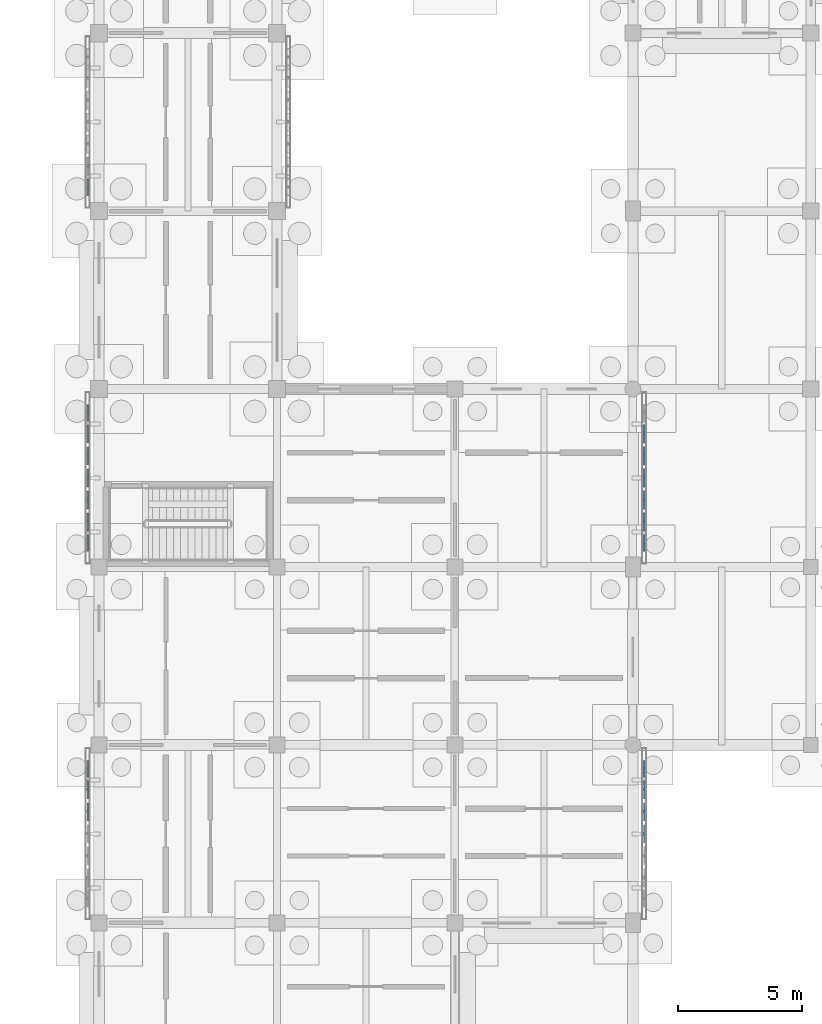
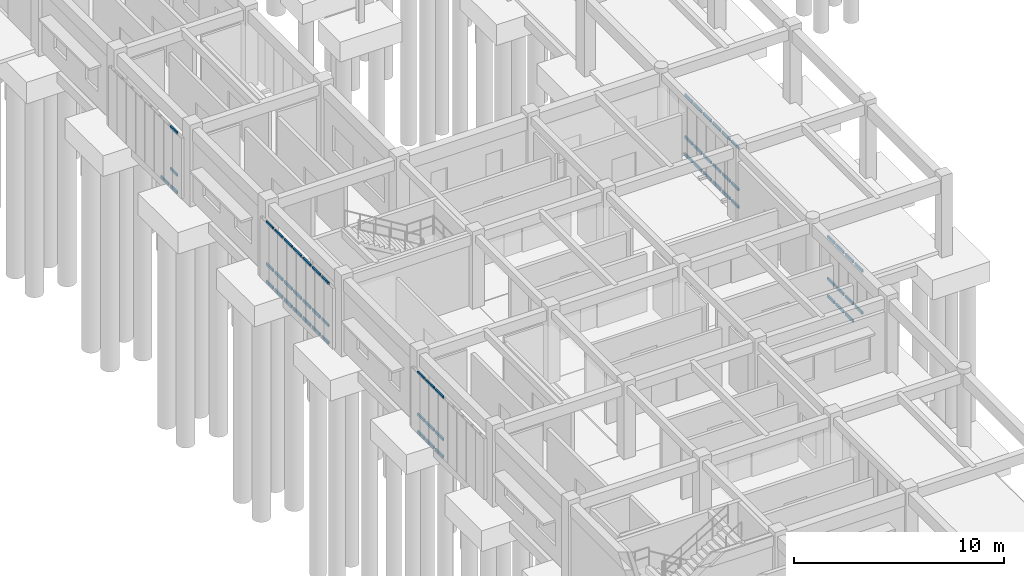
# One storey, part 41 of 111: 63 members, 5 elements without a shape of their own.
"""IFC4 building model written with IfcOpenShell, lengths in metres."""

from ifc_helpers import new_model, si_unit, direction, frame, origin, origin_2d, place, context, subcontext, project, spatial, hollow_rectangle, extrude, material, material_profile, profile_set, type_object, element, aggregate, save


model = new_model("IFC4")

# Units and contexts
model_context = context("Model", 3, precision=1e-05, world=origin(), true_north=direction((0.0, 1.0)))
body_context = subcontext(model_context, "Body", "Model", "MODEL_VIEW")
ifc_project = project(units=[si_unit("LENGTHUNIT", "METRE"), si_unit("AREAUNIT", "SQUARE_METRE"), si_unit("VOLUMEUNIT", "CUBIC_METRE"), si_unit("PLANEANGLEUNIT", "RADIAN"), si_unit("MASSUNIT", "GRAM", prefix="KILO")], contexts=[model_context])

# Site, building, storey
site_placement = place(None, origin())
site = spatial("IfcSite", under=ifc_project, at=site_placement, CompositionType="ELEMENT")
building_placement = place(site_placement, origin())
building = spatial("IfcBuilding", under=site, at=building_placement, Name="Aldebral Square Health Centre", CompositionType="ELEMENT")
storey_placement = place(building_placement, origin())
storey = spatial("IfcBuildingStorey", under=building, at=storey_placement, Name="L00", CompositionType="ELEMENT", Elevation=0.0)

# Curtain wall, members
ifc_material_1 = material(Name="Aluminium and low-E solar glass", Category="aluminium")
curtain_wall_type = type_object("IfcCurtainWallType", Name="CW-FIN-SYS", PredefinedType="USERDEFINED", material=ifc_material_1)
curtain_wall_1_placement = place(storey_placement, origin())
curtain_wall_1 = element("IfcCurtainWall", 1, at=curtain_wall_1_placement, inside=storey, type_object=curtain_wall_type, Name="L00 V6 finned curtain wall L00-V6-00-06-W", ObjectType="SOLAR_CURTAIN_WALL", PredefinedType="USERDEFINED")
ifc_material_2 = material(Name="Anodised aluminium transom", Category="aluminium")
ifc_material_profile = material_profile(ifc_material_2, hollow_rectangle(XDim=0.074951171875, YDim=0.14990234375, WallThickness=0.00390625, at=origin_2d()), Name="CWT 75x150x4")
ifc_profile_set = profile_set([ifc_material_profile], Name="Anodised aluminium transom")
member_type = type_object("IfcMemberType", Name="CWT-STD", PredefinedType="USERDEFINED", material=ifc_profile_set)
member_1_placement = place(storey_placement, frame((-0.4599609375, 49.760009765625, 0.03759765625), z_axis=(0.0, -1.0, 0.0), x_axis=(1.0, 0.0, 0.0)))
member_1 = element("IfcMember", 2, at=member_1_placement, type_object=member_type, Name="CW1 transom 1.1", ObjectType="TRANSOM", PredefinedType="USERDEFINED", context=body_context, shape_type="SweptSolid", body=[
    extrude(hollow_rectangle(XDim=0.074951171875, YDim=0.14990234375, WallThickness=0.00390625, at=origin_2d()), origin(), (0.0, 0.0, 1.0), 0.6513671875),
])
member_2_placement = place(storey_placement, frame((-0.4599609375, 49.760009765625, 1.050048828125), z_axis=(0.0, -1.0, 0.0), x_axis=(1.0, 0.0, 0.0)))
member_2 = element("IfcMember", 3, at=member_2_placement, type_object=member_type, Name="CW1 transom 1.2", ObjectType="TRANSOM", PredefinedType="USERDEFINED", context=body_context, shape_type="SweptSolid", body=[
    extrude(hollow_rectangle(XDim=0.074951171875, YDim=0.14990234375, WallThickness=0.00390625, at=origin_2d()), origin(), (0.0, 0.0, 1.0), 0.6513671875),
])
member_3_placement = place(storey_placement, frame((-0.4599609375, 49.760009765625, 3.482421875), z_axis=(0.0, -1.0, 0.0), x_axis=(1.0, 0.0, 0.0)))
member_3 = element("IfcMember", 4, at=member_3_placement, type_object=member_type, Name="CW1 transom 1.3", ObjectType="TRANSOM", PredefinedType="USERDEFINED", context=body_context, shape_type="SweptSolid", body=[
    extrude(hollow_rectangle(XDim=0.074951171875, YDim=0.14990234375, WallThickness=0.00390625, at=origin_2d()), origin(), (0.0, 0.0, 1.0), 0.6513671875),
])
member_4_placement = place(storey_placement, frame((-0.4599609375, 48.948486328125, 0.03759765625), z_axis=(0.0, -1.0, 0.0), x_axis=(1.0, 0.0, 0.0)))
member_4 = element("IfcMember", 5, at=member_4_placement, type_object=member_type, Name="CW1 transom 2.1", ObjectType="TRANSOM", PredefinedType="USERDEFINED", context=body_context, shape_type="SweptSolid", body=[
    extrude(hollow_rectangle(XDim=0.074951171875, YDim=0.14990234375, WallThickness=0.00390625, at=origin_2d()), origin(), (0.0, 0.0, 1.0), 0.7314453125),
])
member_5_placement = place(storey_placement, frame((-0.4599609375, 48.948486328125, 1.050048828125), z_axis=(0.0, -1.0, 0.0), x_axis=(1.0, 0.0, 0.0)))
member_5 = element("IfcMember", 6, at=member_5_placement, type_object=member_type, Name="CW1 transom 2.2", ObjectType="TRANSOM", PredefinedType="USERDEFINED", context=body_context, shape_type="SweptSolid", body=[
    extrude(hollow_rectangle(XDim=0.074951171875, YDim=0.14990234375, WallThickness=0.00390625, at=origin_2d()), origin(), (0.0, 0.0, 1.0), 0.7314453125),
])
member_6_placement = place(storey_placement, frame((-0.4599609375, 48.948486328125, 3.482421875), z_axis=(0.0, -1.0, 0.0), x_axis=(1.0, 0.0, 0.0)))
member_6 = element("IfcMember", 7, at=member_6_placement, type_object=member_type, Name="CW1 transom 2.3", ObjectType="TRANSOM", PredefinedType="USERDEFINED", context=body_context, shape_type="SweptSolid", body=[
    extrude(hollow_rectangle(XDim=0.074951171875, YDim=0.14990234375, WallThickness=0.00390625, at=origin_2d()), origin(), (0.0, 0.0, 1.0), 0.7314453125),
])
member_7_placement = place(storey_placement, frame((-0.4599609375, 48.05712890625, 0.03759765625), z_axis=(0.0, -1.0, 0.0), x_axis=(1.0, 0.0, 0.0)))
member_7 = element("IfcMember", 8, at=member_7_placement, type_object=member_type, Name="CW1 transom 3.1", ObjectType="TRANSOM", PredefinedType="USERDEFINED", context=body_context, shape_type="SweptSolid", body=[
    extrude(hollow_rectangle(XDim=0.074951171875, YDim=0.14990234375, WallThickness=0.00390625, at=origin_2d()), origin(), (0.0, 0.0, 1.0), 0.7314453125),
])
member_8_placement = place(storey_placement, frame((-0.4599609375, 48.05712890625, 1.050048828125), z_axis=(0.0, -1.0, 0.0), x_axis=(1.0, 0.0, 0.0)))
member_8 = element("IfcMember", 9, at=member_8_placement, type_object=member_type, Name="CW1 transom 3.2", ObjectType="TRANSOM", PredefinedType="USERDEFINED", context=body_context, shape_type="SweptSolid", body=[
    extrude(hollow_rectangle(XDim=0.074951171875, YDim=0.14990234375, WallThickness=0.00390625, at=origin_2d()), origin(), (0.0, 0.0, 1.0), 0.7314453125),
])
member_9_placement = place(storey_placement, frame((-0.4599609375, 48.05712890625, 3.482421875), z_axis=(0.0, -1.0, 0.0), x_axis=(1.0, 0.0, 0.0)))
member_9 = element("IfcMember", 10, at=member_9_placement, type_object=member_type, Name="CW1 transom 3.3", ObjectType="TRANSOM", PredefinedType="USERDEFINED", context=body_context, shape_type="SweptSolid", body=[
    extrude(hollow_rectangle(XDim=0.074951171875, YDim=0.14990234375, WallThickness=0.00390625, at=origin_2d()), origin(), (0.0, 0.0, 1.0), 0.7314453125),
])
aggregate(curtain_wall_1, [member_1, member_2, member_3, member_4, member_5, member_6, member_7, member_8, member_9])

curtain_wall_2_placement = place(storey_placement, origin())
curtain_wall_2 = element("IfcCurtainWall", 11, at=curtain_wall_2_placement, inside=storey, type_object=curtain_wall_type, Name="L00 V4 finned curtain wall L00-V4-00-08-W", ObjectType="SOLAR_CURTAIN_WALL", PredefinedType="USERDEFINED")
member_10_placement = place(storey_placement, frame((-0.4599609375, 64.159912109375, 0.03759765625), z_axis=(0.0, -1.0, 0.0), x_axis=(1.0, 0.0, 0.0)))
member_10 = element("IfcMember", 12, at=member_10_placement, type_object=member_type, Name="CW1 transom 1.1", ObjectType="TRANSOM", PredefinedType="USERDEFINED", context=body_context, shape_type="SweptSolid", body=[
    extrude(hollow_rectangle(XDim=0.074951171875, YDim=0.14990234375, WallThickness=0.00390625, at=origin_2d()), origin(), (0.0, 0.0, 1.0), 0.6513671875),
])
member_11_placement = place(storey_placement, frame((-0.4599609375, 64.159912109375, 1.050048828125), z_axis=(0.0, -1.0, 0.0), x_axis=(1.0, 0.0, 0.0)))
member_11 = element("IfcMember", 13, at=member_11_placement, type_object=member_type, Name="CW1 transom 1.2", ObjectType="TRANSOM", PredefinedType="USERDEFINED", context=body_context, shape_type="SweptSolid", body=[
    extrude(hollow_rectangle(XDim=0.074951171875, YDim=0.14990234375, WallThickness=0.00390625, at=origin_2d()), origin(), (0.0, 0.0, 1.0), 0.6513671875),
])
member_12_placement = place(storey_placement, frame((-0.4599609375, 64.159912109375, 3.482421875), z_axis=(0.0, -1.0, 0.0), x_axis=(1.0, 0.0, 0.0)))
member_12 = element("IfcMember", 14, at=member_12_placement, type_object=member_type, Name="CW1 transom 1.3", ObjectType="TRANSOM", PredefinedType="USERDEFINED", context=body_context, shape_type="SweptSolid", body=[
    extrude(hollow_rectangle(XDim=0.074951171875, YDim=0.14990234375, WallThickness=0.00390625, at=origin_2d()), origin(), (0.0, 0.0, 1.0), 0.6513671875),
])
member_13_placement = place(storey_placement, frame((-0.4599609375, 63.3486328125, 0.03759765625), z_axis=(0.0, -1.0, 0.0), x_axis=(1.0, 0.0, 0.0)))
member_13 = element("IfcMember", 15, at=member_13_placement, type_object=member_type, Name="CW1 transom 2.1", ObjectType="TRANSOM", PredefinedType="USERDEFINED", context=body_context, shape_type="SweptSolid", body=[
    extrude(hollow_rectangle(XDim=0.074951171875, YDim=0.14990234375, WallThickness=0.00390625, at=origin_2d()), origin(), (0.0, 0.0, 1.0), 0.7314453125),
])
member_14_placement = place(storey_placement, frame((-0.4599609375, 63.3486328125, 1.050048828125), z_axis=(0.0, -1.0, 0.0), x_axis=(1.0, 0.0, 0.0)))
member_14 = element("IfcMember", 16, at=member_14_placement, type_object=member_type, Name="CW1 transom 2.2", ObjectType="TRANSOM", PredefinedType="USERDEFINED", context=body_context, shape_type="SweptSolid", body=[
    extrude(hollow_rectangle(XDim=0.074951171875, YDim=0.14990234375, WallThickness=0.00390625, at=origin_2d()), origin(), (0.0, 0.0, 1.0), 0.7314453125),
])
member_15_placement = place(storey_placement, frame((-0.4599609375, 63.3486328125, 3.482421875), z_axis=(0.0, -1.0, 0.0), x_axis=(1.0, 0.0, 0.0)))
member_15 = element("IfcMember", 17, at=member_15_placement, type_object=member_type, Name="CW1 transom 2.3", ObjectType="TRANSOM", PredefinedType="USERDEFINED", context=body_context, shape_type="SweptSolid", body=[
    extrude(hollow_rectangle(XDim=0.074951171875, YDim=0.14990234375, WallThickness=0.00390625, at=origin_2d()), origin(), (0.0, 0.0, 1.0), 0.7314453125),
])
member_16_placement = place(storey_placement, frame((-0.4599609375, 62.45703125, 0.03759765625), z_axis=(0.0, -1.0, 0.0), x_axis=(1.0, 0.0, 0.0)))
member_16 = element("IfcMember", 18, at=member_16_placement, type_object=member_type, Name="CW1 transom 3.1", ObjectType="TRANSOM", PredefinedType="USERDEFINED", context=body_context, shape_type="SweptSolid", body=[
    extrude(hollow_rectangle(XDim=0.074951171875, YDim=0.14990234375, WallThickness=0.00390625, at=origin_2d()), origin(), (0.0, 0.0, 1.0), 0.731201171875),
])
member_17_placement = place(storey_placement, frame((-0.4599609375, 62.45703125, 1.050048828125), z_axis=(0.0, -1.0, 0.0), x_axis=(1.0, 0.0, 0.0)))
member_17 = element("IfcMember", 19, at=member_17_placement, type_object=member_type, Name="CW1 transom 3.2", ObjectType="TRANSOM", PredefinedType="USERDEFINED", context=body_context, shape_type="SweptSolid", body=[
    extrude(hollow_rectangle(XDim=0.074951171875, YDim=0.14990234375, WallThickness=0.00390625, at=origin_2d()), origin(), (0.0, 0.0, 1.0), 0.731201171875),
])
member_18_placement = place(storey_placement, frame((-0.4599609375, 62.45703125, 3.482421875), z_axis=(0.0, -1.0, 0.0), x_axis=(1.0, 0.0, 0.0)))
member_18 = element("IfcMember", 20, at=member_18_placement, type_object=member_type, Name="CW1 transom 3.3", ObjectType="TRANSOM", PredefinedType="USERDEFINED", context=body_context, shape_type="SweptSolid", body=[
    extrude(hollow_rectangle(XDim=0.074951171875, YDim=0.14990234375, WallThickness=0.00390625, at=origin_2d()), origin(), (0.0, 0.0, 1.0), 0.731201171875),
])
member_19_placement = place(storey_placement, frame((-0.4599609375, 61.565673828125, 0.03759765625), z_axis=(0.0, -1.0, 0.0), x_axis=(1.0, 0.0, 0.0)))
member_19 = element("IfcMember", 21, at=member_19_placement, type_object=member_type, Name="CW1 transom 4.1", ObjectType="TRANSOM", PredefinedType="USERDEFINED", context=body_context, shape_type="SweptSolid", body=[
    extrude(hollow_rectangle(XDim=0.074951171875, YDim=0.14990234375, WallThickness=0.00390625, at=origin_2d()), origin(), (0.0, 0.0, 1.0), 0.7314453125),
])
member_20_placement = place(storey_placement, frame((-0.4599609375, 61.565673828125, 1.050048828125), z_axis=(0.0, -1.0, 0.0), x_axis=(1.0, 0.0, 0.0)))
member_20 = element("IfcMember", 22, at=member_20_placement, type_object=member_type, Name="CW1 transom 4.2", ObjectType="TRANSOM", PredefinedType="USERDEFINED", context=body_context, shape_type="SweptSolid", body=[
    extrude(hollow_rectangle(XDim=0.074951171875, YDim=0.14990234375, WallThickness=0.00390625, at=origin_2d()), origin(), (0.0, 0.0, 1.0), 0.7314453125),
])
member_21_placement = place(storey_placement, frame((-0.4599609375, 61.565673828125, 3.482421875), z_axis=(0.0, -1.0, 0.0), x_axis=(1.0, 0.0, 0.0)))
member_21 = element("IfcMember", 23, at=member_21_placement, type_object=member_type, Name="CW1 transom 4.3", ObjectType="TRANSOM", PredefinedType="USERDEFINED", context=body_context, shape_type="SweptSolid", body=[
    extrude(hollow_rectangle(XDim=0.074951171875, YDim=0.14990234375, WallThickness=0.00390625, at=origin_2d()), origin(), (0.0, 0.0, 1.0), 0.7314453125),
])
member_22_placement = place(storey_placement, frame((-0.4599609375, 60.67431640625, 0.03759765625), z_axis=(0.0, -1.0, 0.0), x_axis=(1.0, 0.0, 0.0)))
member_22 = element("IfcMember", 24, at=member_22_placement, type_object=member_type, Name="CW1 transom 5.1", ObjectType="TRANSOM", PredefinedType="USERDEFINED", context=body_context, shape_type="SweptSolid", body=[
    extrude(hollow_rectangle(XDim=0.074951171875, YDim=0.14990234375, WallThickness=0.00390625, at=origin_2d()), origin(), (0.0, 0.0, 1.0), 0.7314453125),
])
member_23_placement = place(storey_placement, frame((-0.4599609375, 60.67431640625, 1.050048828125), z_axis=(0.0, -1.0, 0.0), x_axis=(1.0, 0.0, 0.0)))
member_23 = element("IfcMember", 25, at=member_23_placement, type_object=member_type, Name="CW1 transom 5.2", ObjectType="TRANSOM", PredefinedType="USERDEFINED", context=body_context, shape_type="SweptSolid", body=[
    extrude(hollow_rectangle(XDim=0.074951171875, YDim=0.14990234375, WallThickness=0.00390625, at=origin_2d()), origin(), (0.0, 0.0, 1.0), 0.7314453125),
])
member_24_placement = place(storey_placement, frame((-0.4599609375, 60.67431640625, 3.482421875), z_axis=(0.0, -1.0, 0.0), x_axis=(1.0, 0.0, 0.0)))
member_24 = element("IfcMember", 26, at=member_24_placement, type_object=member_type, Name="CW1 transom 5.3", ObjectType="TRANSOM", PredefinedType="USERDEFINED", context=body_context, shape_type="SweptSolid", body=[
    extrude(hollow_rectangle(XDim=0.074951171875, YDim=0.14990234375, WallThickness=0.00390625, at=origin_2d()), origin(), (0.0, 0.0, 1.0), 0.7314453125),
])
member_25_placement = place(storey_placement, frame((-0.4599609375, 59.782958984375, 0.03759765625), z_axis=(0.0, -1.0, 0.0), x_axis=(1.0, 0.0, 0.0)))
member_25 = element("IfcMember", 27, at=member_25_placement, type_object=member_type, Name="CW1 transom 6.1", ObjectType="TRANSOM", PredefinedType="USERDEFINED", context=body_context, shape_type="SweptSolid", body=[
    extrude(hollow_rectangle(XDim=0.074951171875, YDim=0.14990234375, WallThickness=0.00390625, at=origin_2d()), origin(), (0.0, 0.0, 1.0), 0.7314453125),
])
member_26_placement = place(storey_placement, frame((-0.4599609375, 59.782958984375, 1.050048828125), z_axis=(0.0, -1.0, 0.0), x_axis=(1.0, 0.0, 0.0)))
member_26 = element("IfcMember", 28, at=member_26_placement, type_object=member_type, Name="CW1 transom 6.2", ObjectType="TRANSOM", PredefinedType="USERDEFINED", context=body_context, shape_type="SweptSolid", body=[
    extrude(hollow_rectangle(XDim=0.074951171875, YDim=0.14990234375, WallThickness=0.00390625, at=origin_2d()), origin(), (0.0, 0.0, 1.0), 0.7314453125),
])
member_27_placement = place(storey_placement, frame((-0.4599609375, 59.782958984375, 3.482421875), z_axis=(0.0, -1.0, 0.0), x_axis=(1.0, 0.0, 0.0)))
member_27 = element("IfcMember", 29, at=member_27_placement, type_object=member_type, Name="CW1 transom 6.3", ObjectType="TRANSOM", PredefinedType="USERDEFINED", context=body_context, shape_type="SweptSolid", body=[
    extrude(hollow_rectangle(XDim=0.074951171875, YDim=0.14990234375, WallThickness=0.00390625, at=origin_2d()), origin(), (0.0, 0.0, 1.0), 0.7314453125),
])
member_28_placement = place(storey_placement, frame((-0.4599609375, 58.891357421875, 0.03759765625), z_axis=(0.0, -1.0, 0.0), x_axis=(1.0, 0.0, 0.0)))
member_28 = element("IfcMember", 30, at=member_28_placement, type_object=member_type, Name="CW1 transom 7.1", ObjectType="TRANSOM", PredefinedType="USERDEFINED", context=body_context, shape_type="SweptSolid", body=[
    extrude(hollow_rectangle(XDim=0.074951171875, YDim=0.14990234375, WallThickness=0.00390625, at=origin_2d()), origin(), (0.0, 0.0, 1.0), 0.6513671875),
])
member_29_placement = place(storey_placement, frame((-0.4599609375, 58.891357421875, 1.050048828125), z_axis=(0.0, -1.0, 0.0), x_axis=(1.0, 0.0, 0.0)))
member_29 = element("IfcMember", 31, at=member_29_placement, type_object=member_type, Name="CW1 transom 7.2", ObjectType="TRANSOM", PredefinedType="USERDEFINED", context=body_context, shape_type="SweptSolid", body=[
    extrude(hollow_rectangle(XDim=0.074951171875, YDim=0.14990234375, WallThickness=0.00390625, at=origin_2d()), origin(), (0.0, 0.0, 1.0), 0.6513671875),
])
member_30_placement = place(storey_placement, frame((-0.4599609375, 58.891357421875, 3.482421875), z_axis=(0.0, -1.0, 0.0), x_axis=(1.0, 0.0, 0.0)))
member_30 = element("IfcMember", 32, at=member_30_placement, type_object=member_type, Name="CW1 transom 7.3", ObjectType="TRANSOM", PredefinedType="USERDEFINED", context=body_context, shape_type="SweptSolid", body=[
    extrude(hollow_rectangle(XDim=0.074951171875, YDim=0.14990234375, WallThickness=0.00390625, at=origin_2d()), origin(), (0.0, 0.0, 1.0), 0.6513671875),
])
aggregate(curtain_wall_2, [member_10, member_11, member_12, member_13, member_14, member_15, member_16, member_17, member_18, member_19, member_20, member_21, member_22, member_23, member_24, member_25, member_26, member_27, member_28, member_29, member_30])

curtain_wall_3_placement = place(storey_placement, origin())
curtain_wall_3 = element("IfcCurtainWall", 33, at=curtain_wall_3_placement, inside=storey, type_object=curtain_wall_type, Name="L00 V4 finned curtain wall L00-V4-00-10-W", ObjectType="SOLAR_CURTAIN_WALL", PredefinedType="USERDEFINED")
member_31_placement = place(storey_placement, frame((-0.4599609375, 74.182861328125, 0.03759765625), z_axis=(0.0, -1.0, 0.0), x_axis=(1.0, 0.0, 0.0)))
member_31 = element("IfcMember", 34, at=member_31_placement, type_object=member_type, Name="CW1 transom 6.1", ObjectType="TRANSOM", PredefinedType="USERDEFINED", context=body_context, shape_type="SweptSolid", body=[
    extrude(hollow_rectangle(XDim=0.074951171875, YDim=0.14990234375, WallThickness=0.00390625, at=origin_2d()), origin(), (0.0, 0.0, 1.0), 0.7314453125),
])
member_32_placement = place(storey_placement, frame((-0.4599609375, 73.29150390625, 0.03759765625), z_axis=(0.0, -1.0, 0.0), x_axis=(1.0, 0.0, 0.0)))
member_32 = element("IfcMember", 35, at=member_32_placement, type_object=member_type, Name="CW1 transom 7.1", ObjectType="TRANSOM", PredefinedType="USERDEFINED", context=body_context, shape_type="SweptSolid", body=[
    extrude(hollow_rectangle(XDim=0.074951171875, YDim=0.14990234375, WallThickness=0.00390625, at=origin_2d()), origin(), (0.0, 0.0, 1.0), 0.651611328125),
])
member_33_placement = place(storey_placement, frame((-0.4599609375, 73.29150390625, 1.050048828125), z_axis=(0.0, -1.0, 0.0), x_axis=(1.0, 0.0, 0.0)))
member_33 = element("IfcMember", 36, at=member_33_placement, type_object=member_type, Name="CW1 transom 7.2", ObjectType="TRANSOM", PredefinedType="USERDEFINED", context=body_context, shape_type="SweptSolid", body=[
    extrude(hollow_rectangle(XDim=0.074951171875, YDim=0.14990234375, WallThickness=0.00390625, at=origin_2d()), origin(), (0.0, 0.0, 1.0), 0.651611328125),
])
member_34_placement = place(storey_placement, frame((-0.4599609375, 73.29150390625, 3.482421875), z_axis=(0.0, -1.0, 0.0), x_axis=(1.0, 0.0, 0.0)))
member_34 = element("IfcMember", 37, at=member_34_placement, type_object=member_type, Name="CW1 transom 7.3", ObjectType="TRANSOM", PredefinedType="USERDEFINED", context=body_context, shape_type="SweptSolid", body=[
    extrude(hollow_rectangle(XDim=0.074951171875, YDim=0.14990234375, WallThickness=0.00390625, at=origin_2d()), origin(), (0.0, 0.0, 1.0), 0.651611328125),
])
aggregate(curtain_wall_3, [member_31, member_32, member_33, member_34])

curtain_wall_4_placement = place(storey_placement, origin())
curtain_wall_4 = element("IfcCurtainWall", 38, at=curtain_wall_4_placement, inside=storey, type_object=curtain_wall_type, Name="L00 V6 finned curtain wall L00-V6-02-06-E", ObjectType="SOLAR_CURTAIN_WALL", PredefinedType="USERDEFINED")
member_35_placement = place(storey_placement, frame((22.06005859375, 46.434326171875, 1.050048828125), z_axis=(0.0, 1.0, 0.0), x_axis=(-1.0, 0.0, 0.0)))
member_35 = element("IfcMember", 39, at=member_35_placement, type_object=member_type, Name="CW1 transom 4.2", ObjectType="TRANSOM", PredefinedType="USERDEFINED", context=body_context, shape_type="SweptSolid", body=[
    extrude(hollow_rectangle(XDim=0.074951171875, YDim=0.14990234375, WallThickness=0.00390625, at=origin_2d()), origin(), (0.0, 0.0, 1.0), 0.7314453125),
])
member_36_placement = place(storey_placement, frame((22.06005859375, 46.434326171875, 3.482421875), z_axis=(0.0, 1.0, 0.0), x_axis=(-1.0, 0.0, 0.0)))
member_36 = element("IfcMember", 40, at=member_36_placement, type_object=member_type, Name="CW1 transom 4.3", ObjectType="TRANSOM", PredefinedType="USERDEFINED", context=body_context, shape_type="SweptSolid", body=[
    extrude(hollow_rectangle(XDim=0.074951171875, YDim=0.14990234375, WallThickness=0.00390625, at=origin_2d()), origin(), (0.0, 0.0, 1.0), 0.7314453125),
])
member_37_placement = place(storey_placement, frame((22.06005859375, 47.32568359375, 0.03759765625), z_axis=(0.0, 1.0, 0.0), x_axis=(-1.0, 0.0, 0.0)))
member_37 = element("IfcMember", 41, at=member_37_placement, type_object=member_type, Name="CW1 transom 5.1", ObjectType="TRANSOM", PredefinedType="USERDEFINED", context=body_context, shape_type="SweptSolid", body=[
    extrude(hollow_rectangle(XDim=0.074951171875, YDim=0.14990234375, WallThickness=0.00390625, at=origin_2d()), origin(), (0.0, 0.0, 1.0), 0.7314453125),
])
member_38_placement = place(storey_placement, frame((22.06005859375, 47.32568359375, 1.050048828125), z_axis=(0.0, 1.0, 0.0), x_axis=(-1.0, 0.0, 0.0)))
member_38 = element("IfcMember", 42, at=member_38_placement, type_object=member_type, Name="CW1 transom 5.2", ObjectType="TRANSOM", PredefinedType="USERDEFINED", context=body_context, shape_type="SweptSolid", body=[
    extrude(hollow_rectangle(XDim=0.074951171875, YDim=0.14990234375, WallThickness=0.00390625, at=origin_2d()), origin(), (0.0, 0.0, 1.0), 0.7314453125),
])
member_39_placement = place(storey_placement, frame((22.06005859375, 47.32568359375, 3.482421875), z_axis=(0.0, 1.0, 0.0), x_axis=(-1.0, 0.0, 0.0)))
member_39 = element("IfcMember", 43, at=member_39_placement, type_object=member_type, Name="CW1 transom 5.3", ObjectType="TRANSOM", PredefinedType="USERDEFINED", context=body_context, shape_type="SweptSolid", body=[
    extrude(hollow_rectangle(XDim=0.074951171875, YDim=0.14990234375, WallThickness=0.00390625, at=origin_2d()), origin(), (0.0, 0.0, 1.0), 0.7314453125),
])
member_40_placement = place(storey_placement, frame((22.06005859375, 48.217041015625, 0.03759765625), z_axis=(0.0, 1.0, 0.0), x_axis=(-1.0, 0.0, 0.0)))
member_40 = element("IfcMember", 44, at=member_40_placement, type_object=member_type, Name="CW1 transom 6.1", ObjectType="TRANSOM", PredefinedType="USERDEFINED", context=body_context, shape_type="SweptSolid", body=[
    extrude(hollow_rectangle(XDim=0.074951171875, YDim=0.14990234375, WallThickness=0.00390625, at=origin_2d()), origin(), (0.0, 0.0, 1.0), 0.7314453125),
])
member_41_placement = place(storey_placement, frame((22.06005859375, 48.217041015625, 1.050048828125), z_axis=(0.0, 1.0, 0.0), x_axis=(-1.0, 0.0, 0.0)))
member_41 = element("IfcMember", 45, at=member_41_placement, type_object=member_type, Name="CW1 transom 6.2", ObjectType="TRANSOM", PredefinedType="USERDEFINED", context=body_context, shape_type="SweptSolid", body=[
    extrude(hollow_rectangle(XDim=0.074951171875, YDim=0.14990234375, WallThickness=0.00390625, at=origin_2d()), origin(), (0.0, 0.0, 1.0), 0.7314453125),
])
member_42_placement = place(storey_placement, frame((22.06005859375, 48.217041015625, 3.482421875), z_axis=(0.0, 1.0, 0.0), x_axis=(-1.0, 0.0, 0.0)))
member_42 = element("IfcMember", 46, at=member_42_placement, type_object=member_type, Name="CW1 transom 6.3", ObjectType="TRANSOM", PredefinedType="USERDEFINED", context=body_context, shape_type="SweptSolid", body=[
    extrude(hollow_rectangle(XDim=0.074951171875, YDim=0.14990234375, WallThickness=0.00390625, at=origin_2d()), origin(), (0.0, 0.0, 1.0), 0.7314453125),
])
member_43_placement = place(storey_placement, frame((22.06005859375, 49.108642578125, 0.03759765625), z_axis=(0.0, 1.0, 0.0), x_axis=(-1.0, 0.0, 0.0)))
member_43 = element("IfcMember", 47, at=member_43_placement, type_object=member_type, Name="CW1 transom 7.1", ObjectType="TRANSOM", PredefinedType="USERDEFINED", context=body_context, shape_type="SweptSolid", body=[
    extrude(hollow_rectangle(XDim=0.074951171875, YDim=0.14990234375, WallThickness=0.00390625, at=origin_2d()), origin(), (0.0, 0.0, 1.0), 0.6513671875),
])
member_44_placement = place(storey_placement, frame((22.06005859375, 49.108642578125, 1.050048828125), z_axis=(0.0, 1.0, 0.0), x_axis=(-1.0, 0.0, 0.0)))
member_44 = element("IfcMember", 48, at=member_44_placement, type_object=member_type, Name="CW1 transom 7.2", ObjectType="TRANSOM", PredefinedType="USERDEFINED", context=body_context, shape_type="SweptSolid", body=[
    extrude(hollow_rectangle(XDim=0.074951171875, YDim=0.14990234375, WallThickness=0.00390625, at=origin_2d()), origin(), (0.0, 0.0, 1.0), 0.6513671875),
])
member_45_placement = place(storey_placement, frame((22.06005859375, 49.108642578125, 3.482421875), z_axis=(0.0, 1.0, 0.0), x_axis=(-1.0, 0.0, 0.0)))
member_45 = element("IfcMember", 49, at=member_45_placement, type_object=member_type, Name="CW1 transom 7.3", ObjectType="TRANSOM", PredefinedType="USERDEFINED", context=body_context, shape_type="SweptSolid", body=[
    extrude(hollow_rectangle(XDim=0.074951171875, YDim=0.14990234375, WallThickness=0.00390625, at=origin_2d()), origin(), (0.0, 0.0, 1.0), 0.6513671875),
])
aggregate(curtain_wall_4, [member_35, member_36, member_37, member_38, member_39, member_40, member_41, member_42, member_43, member_44, member_45])

curtain_wall_5_placement = place(storey_placement, origin())
curtain_wall_5 = element("IfcCurtainWall", 50, at=curtain_wall_5_placement, inside=storey, type_object=curtain_wall_type, Name="L00 V4 finned curtain wall L00-V4-02-08-E", ObjectType="SOLAR_CURTAIN_WALL", PredefinedType="USERDEFINED")
member_46_placement = place(storey_placement, frame((22.06005859375, 58.239990234375, 0.03759765625), z_axis=(0.0, 1.0, 0.0), x_axis=(-1.0, 0.0, 0.0)))
member_46 = element("IfcMember", 51, at=member_46_placement, type_object=member_type, Name="CW1 transom 1.1", ObjectType="TRANSOM", PredefinedType="USERDEFINED", context=body_context, shape_type="SweptSolid", body=[
    extrude(hollow_rectangle(XDim=0.074951171875, YDim=0.14990234375, WallThickness=0.00390625, at=origin_2d()), origin(), (0.0, 0.0, 1.0), 0.6513671875),
])
member_47_placement = place(storey_placement, frame((22.06005859375, 58.239990234375, 1.050048828125), z_axis=(0.0, 1.0, 0.0), x_axis=(-1.0, 0.0, 0.0)))
member_47 = element("IfcMember", 52, at=member_47_placement, type_object=member_type, Name="CW1 transom 1.2", ObjectType="TRANSOM", PredefinedType="USERDEFINED", context=body_context, shape_type="SweptSolid", body=[
    extrude(hollow_rectangle(XDim=0.074951171875, YDim=0.14990234375, WallThickness=0.00390625, at=origin_2d()), origin(), (0.0, 0.0, 1.0), 0.6513671875),
])
member_48_placement = place(storey_placement, frame((22.06005859375, 58.239990234375, 3.482421875), z_axis=(0.0, 1.0, 0.0), x_axis=(-1.0, 0.0, 0.0)))
member_48 = element("IfcMember", 53, at=member_48_placement, type_object=member_type, Name="CW1 transom 1.3", ObjectType="TRANSOM", PredefinedType="USERDEFINED", context=body_context, shape_type="SweptSolid", body=[
    extrude(hollow_rectangle(XDim=0.074951171875, YDim=0.14990234375, WallThickness=0.00390625, at=origin_2d()), origin(), (0.0, 0.0, 1.0), 0.6513671875),
])
member_49_placement = place(storey_placement, frame((22.06005859375, 59.051513671875, 0.03759765625), z_axis=(0.0, 1.0, 0.0), x_axis=(-1.0, 0.0, 0.0)))
member_49 = element("IfcMember", 54, at=member_49_placement, type_object=member_type, Name="CW1 transom 2.1", ObjectType="TRANSOM", PredefinedType="USERDEFINED", context=body_context, shape_type="SweptSolid", body=[
    extrude(hollow_rectangle(XDim=0.074951171875, YDim=0.14990234375, WallThickness=0.00390625, at=origin_2d()), origin(), (0.0, 0.0, 1.0), 0.7314453125),
])
member_50_placement = place(storey_placement, frame((22.06005859375, 59.051513671875, 1.050048828125), z_axis=(0.0, 1.0, 0.0), x_axis=(-1.0, 0.0, 0.0)))
member_50 = element("IfcMember", 55, at=member_50_placement, type_object=member_type, Name="CW1 transom 2.2", ObjectType="TRANSOM", PredefinedType="USERDEFINED", context=body_context, shape_type="SweptSolid", body=[
    extrude(hollow_rectangle(XDim=0.074951171875, YDim=0.14990234375, WallThickness=0.00390625, at=origin_2d()), origin(), (0.0, 0.0, 1.0), 0.7314453125),
])
member_51_placement = place(storey_placement, frame((22.06005859375, 59.051513671875, 3.482421875), z_axis=(0.0, 1.0, 0.0), x_axis=(-1.0, 0.0, 0.0)))
member_51 = element("IfcMember", 56, at=member_51_placement, type_object=member_type, Name="CW1 transom 2.3", ObjectType="TRANSOM", PredefinedType="USERDEFINED", context=body_context, shape_type="SweptSolid", body=[
    extrude(hollow_rectangle(XDim=0.074951171875, YDim=0.14990234375, WallThickness=0.00390625, at=origin_2d()), origin(), (0.0, 0.0, 1.0), 0.7314453125),
])
member_52_placement = place(storey_placement, frame((22.06005859375, 59.94287109375, 0.03759765625), z_axis=(0.0, 1.0, 0.0), x_axis=(-1.0, 0.0, 0.0)))
member_52 = element("IfcMember", 57, at=member_52_placement, type_object=member_type, Name="CW1 transom 3.1", ObjectType="TRANSOM", PredefinedType="USERDEFINED", context=body_context, shape_type="SweptSolid", body=[
    extrude(hollow_rectangle(XDim=0.074951171875, YDim=0.14990234375, WallThickness=0.00390625, at=origin_2d()), origin(), (0.0, 0.0, 1.0), 0.7314453125),
])
member_53_placement = place(storey_placement, frame((22.06005859375, 59.94287109375, 1.050048828125), z_axis=(0.0, 1.0, 0.0), x_axis=(-1.0, 0.0, 0.0)))
member_53 = element("IfcMember", 58, at=member_53_placement, type_object=member_type, Name="CW1 transom 3.2", ObjectType="TRANSOM", PredefinedType="USERDEFINED", context=body_context, shape_type="SweptSolid", body=[
    extrude(hollow_rectangle(XDim=0.074951171875, YDim=0.14990234375, WallThickness=0.00390625, at=origin_2d()), origin(), (0.0, 0.0, 1.0), 0.7314453125),
])
member_54_placement = place(storey_placement, frame((22.06005859375, 59.94287109375, 3.482421875), z_axis=(0.0, 1.0, 0.0), x_axis=(-1.0, 0.0, 0.0)))
member_54 = element("IfcMember", 59, at=member_54_placement, type_object=member_type, Name="CW1 transom 3.3", ObjectType="TRANSOM", PredefinedType="USERDEFINED", context=body_context, shape_type="SweptSolid", body=[
    extrude(hollow_rectangle(XDim=0.074951171875, YDim=0.14990234375, WallThickness=0.00390625, at=origin_2d()), origin(), (0.0, 0.0, 1.0), 0.7314453125),
])
member_55_placement = place(storey_placement, frame((22.06005859375, 60.834228515625, 0.03759765625), z_axis=(0.0, 1.0, 0.0), x_axis=(-1.0, 0.0, 0.0)))
member_55 = element("IfcMember", 60, at=member_55_placement, type_object=member_type, Name="CW1 transom 4.1", ObjectType="TRANSOM", PredefinedType="USERDEFINED", context=body_context, shape_type="SweptSolid", body=[
    extrude(hollow_rectangle(XDim=0.074951171875, YDim=0.14990234375, WallThickness=0.00390625, at=origin_2d()), origin(), (0.0, 0.0, 1.0), 0.7314453125),
])
member_56_placement = place(storey_placement, frame((22.06005859375, 60.834228515625, 1.050048828125), z_axis=(0.0, 1.0, 0.0), x_axis=(-1.0, 0.0, 0.0)))
member_56 = element("IfcMember", 61, at=member_56_placement, type_object=member_type, Name="CW1 transom 4.2", ObjectType="TRANSOM", PredefinedType="USERDEFINED", context=body_context, shape_type="SweptSolid", body=[
    extrude(hollow_rectangle(XDim=0.074951171875, YDim=0.14990234375, WallThickness=0.00390625, at=origin_2d()), origin(), (0.0, 0.0, 1.0), 0.7314453125),
])
member_57_placement = place(storey_placement, frame((22.06005859375, 60.834228515625, 3.482421875), z_axis=(0.0, 1.0, 0.0), x_axis=(-1.0, 0.0, 0.0)))
member_57 = element("IfcMember", 62, at=member_57_placement, type_object=member_type, Name="CW1 transom 4.3", ObjectType="TRANSOM", PredefinedType="USERDEFINED", context=body_context, shape_type="SweptSolid", body=[
    extrude(hollow_rectangle(XDim=0.074951171875, YDim=0.14990234375, WallThickness=0.00390625, at=origin_2d()), origin(), (0.0, 0.0, 1.0), 0.7314453125),
])
member_58_placement = place(storey_placement, frame((22.06005859375, 61.725830078125, 0.03759765625), z_axis=(0.0, 1.0, 0.0), x_axis=(-1.0, 0.0, 0.0)))
member_58 = element("IfcMember", 63, at=member_58_placement, type_object=member_type, Name="CW1 transom 5.1", ObjectType="TRANSOM", PredefinedType="USERDEFINED", context=body_context, shape_type="SweptSolid", body=[
    extrude(hollow_rectangle(XDim=0.074951171875, YDim=0.14990234375, WallThickness=0.00390625, at=origin_2d()), origin(), (0.0, 0.0, 1.0), 0.731201171875),
])
member_59_placement = place(storey_placement, frame((22.06005859375, 61.725830078125, 1.050048828125), z_axis=(0.0, 1.0, 0.0), x_axis=(-1.0, 0.0, 0.0)))
member_59 = element("IfcMember", 64, at=member_59_placement, type_object=member_type, Name="CW1 transom 5.2", ObjectType="TRANSOM", PredefinedType="USERDEFINED", context=body_context, shape_type="SweptSolid", body=[
    extrude(hollow_rectangle(XDim=0.074951171875, YDim=0.14990234375, WallThickness=0.00390625, at=origin_2d()), origin(), (0.0, 0.0, 1.0), 0.731201171875),
])
member_60_placement = place(storey_placement, frame((22.06005859375, 61.725830078125, 3.482421875), z_axis=(0.0, 1.0, 0.0), x_axis=(-1.0, 0.0, 0.0)))
member_60 = element("IfcMember", 65, at=member_60_placement, type_object=member_type, Name="CW1 transom 5.3", ObjectType="TRANSOM", PredefinedType="USERDEFINED", context=body_context, shape_type="SweptSolid", body=[
    extrude(hollow_rectangle(XDim=0.074951171875, YDim=0.14990234375, WallThickness=0.00390625, at=origin_2d()), origin(), (0.0, 0.0, 1.0), 0.731201171875),
])
member_61_placement = place(storey_placement, frame((22.06005859375, 62.6171875, 0.03759765625), z_axis=(0.0, 1.0, 0.0), x_axis=(-1.0, 0.0, 0.0)))
member_61 = element("IfcMember", 66, at=member_61_placement, type_object=member_type, Name="CW1 transom 6.1", ObjectType="TRANSOM", PredefinedType="USERDEFINED", context=body_context, shape_type="SweptSolid", body=[
    extrude(hollow_rectangle(XDim=0.074951171875, YDim=0.14990234375, WallThickness=0.00390625, at=origin_2d()), origin(), (0.0, 0.0, 1.0), 0.7314453125),
])
member_62_placement = place(storey_placement, frame((22.06005859375, 62.6171875, 1.050048828125), z_axis=(0.0, 1.0, 0.0), x_axis=(-1.0, 0.0, 0.0)))
member_62 = element("IfcMember", 67, at=member_62_placement, type_object=member_type, Name="CW1 transom 6.2", ObjectType="TRANSOM", PredefinedType="USERDEFINED", context=body_context, shape_type="SweptSolid", body=[
    extrude(hollow_rectangle(XDim=0.074951171875, YDim=0.14990234375, WallThickness=0.00390625, at=origin_2d()), origin(), (0.0, 0.0, 1.0), 0.7314453125),
])
member_63_placement = place(storey_placement, frame((22.06005859375, 62.6171875, 3.482421875), z_axis=(0.0, 1.0, 0.0), x_axis=(-1.0, 0.0, 0.0)))
member_63 = element("IfcMember", 68, at=member_63_placement, type_object=member_type, Name="CW1 transom 6.3", ObjectType="TRANSOM", PredefinedType="USERDEFINED", context=body_context, shape_type="SweptSolid", body=[
    extrude(hollow_rectangle(XDim=0.074951171875, YDim=0.14990234375, WallThickness=0.00390625, at=origin_2d()), origin(), (0.0, 0.0, 1.0), 0.7314453125),
])
aggregate(curtain_wall_5, [member_46, member_47, member_48, member_49, member_50, member_51, member_52, member_53, member_54, member_55, member_56, member_57, member_58, member_59, member_60, member_61, member_62, member_63])

save(model, "model.ifc")
